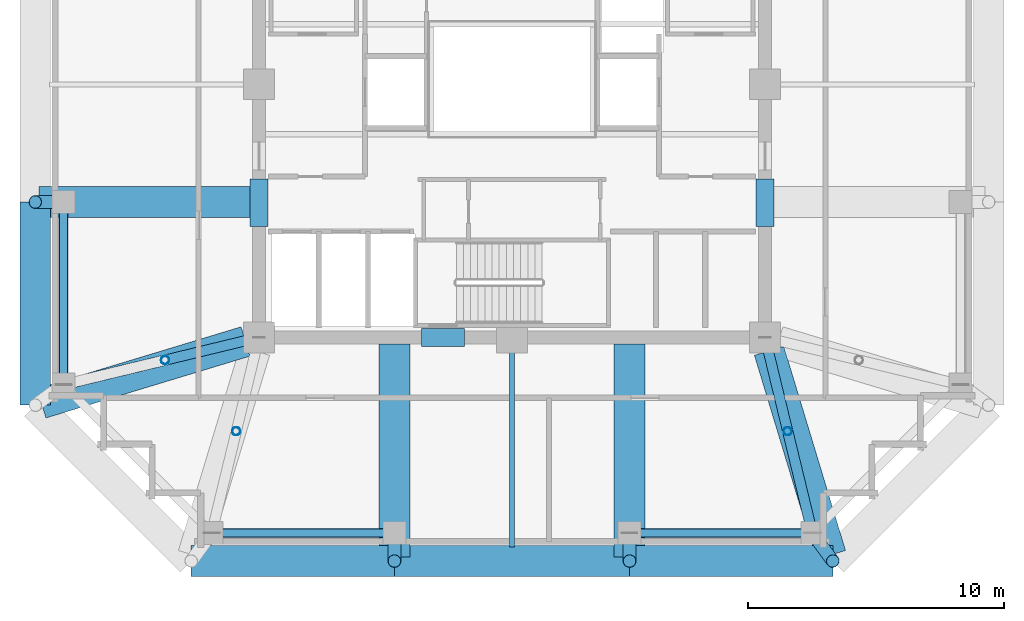
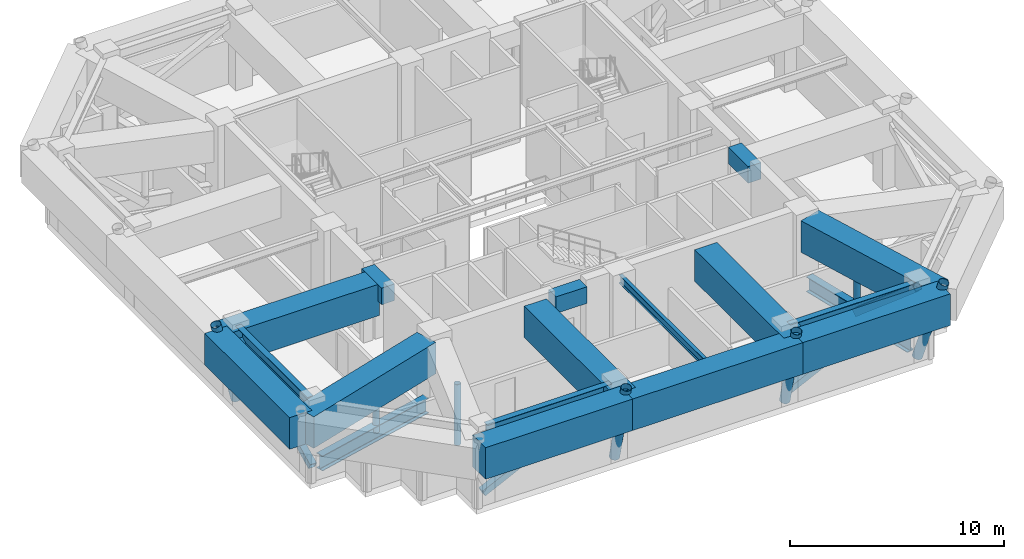
# One storey, part 2 of 12: 18 beams, 11 members.
"""IFC4 building model written with IfcOpenShell, lengths in metres."""

from ifc_helpers import new_model, si_unit, direction, frame, origin, origin_2d, place, context, subcontext, project, spatial, rectangle, hollow_rectangle, hollow_circle, i_section, extrude, material, material_profile, profile_set, type_object, element, save


model = new_model("IFC4")

# Units and contexts
model_context = context("Model", 3, precision=1e-05, world=origin(), true_north=direction((0.0, 1.0)))
body_context = subcontext(model_context, "Body", "Model", "MODEL_VIEW")
ifc_project = project(units=[si_unit("LENGTHUNIT", "METRE"), si_unit("AREAUNIT", "SQUARE_METRE"), si_unit("VOLUMEUNIT", "CUBIC_METRE"), si_unit("PLANEANGLEUNIT", "RADIAN"), si_unit("MASSUNIT", "GRAM", prefix="KILO")], contexts=[model_context])

# Site, building, storey
site_placement = place(None, origin())
site = spatial("IfcSite", under=ifc_project, at=site_placement, CompositionType="ELEMENT")
building_placement = place(site_placement, origin())
building = spatial("IfcBuilding", under=site, at=building_placement, Name="Kolvaren Belvedere", CompositionType="ELEMENT")
storey_placement = place(building_placement, frame((0.0, 0.0, 148.10009765625)))
storey = spatial("IfcBuildingStorey", under=building, at=storey_placement, Name="L43", CompositionType="ELEMENT", Elevation=148.10009765625)

# Beams
ifc_material_1 = material(Name="Structural steel ASTM A992 Grade 50", Category="steel")
ifc_material_profile_1 = material_profile(ifc_material_1, i_section(OverallWidth=0.39990234375, OverallDepth=0.85595703125, WebThickness=0.018310546875, FlangeThickness=0.029296875, FilletRadius=0.02490234375, at=origin_2d()), Name="W33X201")
ifc_profile_set_1 = profile_set([ifc_material_profile_1], Name="Structural steel ASTM A992 Grade 50")
beam_type_1 = type_object("IfcBeamType", Name="BM-GIRD-W33X201", PredefinedType="BEAM", material=ifc_profile_set_1)
for number, where, z_axis, x_axis, name in (
    (1, (-10.4345703125, -10.029296875, 0.47998046875), (-0.971980384182, -0.235061976433, 0.0), (0.235061976433, -0.971980384182, 0.0), "L43 Outrigger Truss Bottom Chord OB-2"),
    (2, (10.029296875, -10.4345703125, 0.47998046875), (0.235061976433, -0.971980384182, 0.0), (0.971980384182, 0.235061976433, 0.0), "L43 Outrigger Truss Bottom Chord OB-3"),
):
    element("IfcBeam", number, at=place(storey_placement, frame(where, z_axis=z_axis, x_axis=x_axis)), inside=storey, type_object=beam_type_1, Name=name, PredefinedType="BEAM", context=body_context, shape_type="SweptSolid", body=[
        extrude(i_section(OverallWidth=0.39990234375, OverallDepth=0.85595703125, WebThickness=0.018310546875, FlangeThickness=0.029296875, FilletRadius=0.02490234375, at=origin_2d()), origin(), (0.0, 0.0, 1.0), 6.87060546875),
    ])
ifc_material_2 = material(Name="Structural steel ASTM A992 Grade 50", Category="steel")
ifc_material_profile_2 = material_profile(ifc_material_2, i_section(OverallWidth=0.19091796875, OverallDepth=0.4599609375, WebThickness=0.010009765625, FlangeThickness=0.01611328125, FilletRadius=0.014892578125, at=origin_2d()), Name="W18X55")
ifc_profile_set_2 = profile_set([ifc_material_profile_2], Name="Structural steel ASTM A992 Grade 50")
beam_type_2 = type_object("IfcBeamType", Name="BM-JOIST-W18X55", PredefinedType="BEAM", material=ifc_profile_set_2)
beam_1_placement = place(storey_placement, frame((0.0, -10.14990234375, 4.06982421875), z_axis=(0.0, -1.0, 0.0), x_axis=(1.0, 0.0, 0.0)))
element("IfcBeam", 3, at=beam_1_placement, inside=storey, type_object=beam_type_2, Name="L43 South Centre Floor Beam", PredefinedType="BEAM", context=body_context, shape_type="SweptSolid", body=[
    extrude(i_section(OverallWidth=0.19091796875, OverallDepth=0.4599609375, WebThickness=0.010009765625, FlangeThickness=0.01611328125, FilletRadius=0.014892578125, at=origin_2d()), origin(), (0.0, 0.0, 1.0), 7.9501953125),
])
ifc_material_3 = material(Name="Concrete C60/75", Category="concrete")
ifc_material_profile_3 = material_profile(ifc_material_3, rectangle(XDim=0.699951171875, YDim=0.949951171875, at=origin_2d()), Name="RC 700X950")
ifc_profile_set_3 = profile_set([ifc_material_profile_3], Name="Concrete C60/75")
beam_type_3 = type_object("IfcBeamType", Name="BM-LINT-950", PredefinedType="LINTEL", material=ifc_profile_set_3)
beam_2_placement = place(storey_placement, frame((-3.5400390625, -9.89990234375, 3.824951171875), z_axis=(1.0, 0.0, 0.0), x_axis=(0.0, 1.0, 0.0)))
element("IfcBeam", 4, at=beam_2_placement, inside=storey, type_object=beam_type_3, Name="L43 South Core Coupling Lintel", PredefinedType="LINTEL", context=body_context, shape_type="SweptSolid", body=[
    extrude(rectangle(XDim=0.699951171875, YDim=0.949951171875, at=origin_2d()), origin(), (0.0, 0.0, 1.0), 1.679931640625),
])
for number, where, z_axis, x_axis, name in (
    (5, (-9.89990234375, -5.550048828125, 3.824951171875), (0.0, 1.0, 0.0), (-1.0, 0.0, 0.0), "L43 West Core Coupling Lintel"),
    (6, (9.89990234375, -5.550048828125, 3.824951171875), (0.0, 1.0, 0.0), (-1.0, 0.0, 0.0), "L43 East Core Coupling Lintel"),
):
    element("IfcBeam", number, at=place(storey_placement, frame(where, z_axis=z_axis, x_axis=x_axis)), inside=storey, type_object=beam_type_3, Name=name, PredefinedType="LINTEL", context=body_context, shape_type="SweptSolid", body=[
        extrude(rectangle(XDim=0.699951171875, YDim=0.949951171875, at=origin_2d()), origin(), (0.0, 0.0, 1.0), 1.85009765625),
    ])
ifc_material_4 = material(Name="Structural steel ASTM A992 Grade 50", Category="steel")
ifc_material_profile_4 = material_profile(ifc_material_4, i_section(OverallWidth=0.324951171875, OverallDepth=0.615966796875, WebThickness=0.013916015625, FlangeThickness=0.021484375, FilletRadius=0.02001953125, at=origin_2d()), Name="W24X117")
ifc_profile_set_4 = profile_set([ifc_material_profile_4], Name="Structural steel ASTM A992 Grade 50")
beam_type_4 = type_object("IfcBeamType", Name="BM-SPAN-W24X117", PredefinedType="SPANDREL", material=ifc_profile_set_4)
for number, where, z_axis, x_axis, name in (
    (7, (-11.547607421875, -17.550048828125, 3.991943359375), (1.0, 0.0, 0.0), (0.0, 1.0, 0.0), "L43 Perimeter Spandrel S1-S2"),
    (8, (4.802490234375, -17.550048828125, 3.991943359375), (1.0, 0.0, 0.0), (0.0, 1.0, 0.0), "L43 Perimeter Spandrel S3-S4"),
    (9, (-17.550048828125, -4.802490234375, 3.991943359375), (0.0, -1.0, 0.0), (1.0, 0.0, 0.0), "L43 Perimeter Spandrel W2-W1"),
):
    element("IfcBeam", number, at=place(storey_placement, frame(where, z_axis=z_axis, x_axis=x_axis)), inside=storey, type_object=beam_type_4, Name=name, PredefinedType="SPANDREL", context=body_context, shape_type="SweptSolid", body=[
        extrude(i_section(OverallWidth=0.324951171875, OverallDepth=0.615966796875, WebThickness=0.013916015625, FlangeThickness=0.021484375, FilletRadius=0.02001953125, at=origin_2d()), origin(), (0.0, 0.0, 1.0), 6.7451171875),
    ])
ifc_material_5 = material(Name="Concrete C50/60", Category="concrete")
ifc_material_profile_5 = material_profile(ifc_material_5, rectangle(XDim=1.199951171875, YDim=1.800048828125, at=origin_2d()), Name="RC 1200X1800")
ifc_profile_set_5 = profile_set([ifc_material_profile_5], Name="Concrete C50/60")
beam_type_5 = type_object("IfcBeamType", Name="BM-TG-1800", PredefinedType="BEAM", material=ifc_profile_set_5)
beam_3_placement = place(storey_placement, frame((-12.550048828125, -18.64990234375, 3.39990234375), z_axis=(1.0, 0.0, 0.0), x_axis=(0.0, 1.0, 0.0)))
element("IfcBeam", 10, at=beam_3_placement, inside=storey, type_object=beam_type_5, Name="L43 Step Transfer Ring Girder S1-S2", PredefinedType="BEAM", context=body_context, shape_type="SweptSolid", body=[
    extrude(rectangle(XDim=1.199951171875, YDim=1.800048828125, at=origin_2d()), origin(), (0.0, 0.0, 1.0), 7.949951171875),
])
beam_4_placement = place(storey_placement, frame((-4.60009765625, -18.64990234375, 3.39990234375), z_axis=(1.0, 0.0, 0.0), x_axis=(0.0, 1.0, 0.0)))
element("IfcBeam", 11, at=beam_4_placement, inside=storey, type_object=beam_type_5, Name="L43 Step Transfer Ring Girder S2-S3", PredefinedType="BEAM", context=body_context, shape_type="SweptSolid", body=[
    extrude(rectangle(XDim=1.199951171875, YDim=1.800048828125, at=origin_2d()), origin(), (0.0, 0.0, 1.0), 9.2001953125),
])
for number, where, z_axis, x_axis, name in (
    (12, (4.60009765625, -18.64990234375, 3.39990234375), (1.0, 0.0, 0.0), (0.0, 1.0, 0.0), "L43 Step Transfer Ring Girder S3-S4"),
    (13, (-18.64990234375, -4.60009765625, 3.39990234375), (0.0, -1.0, 0.0), (1.0, 0.0, 0.0), "L43 Step Transfer Ring Girder W2-W1"),
):
    element("IfcBeam", number, at=place(storey_placement, frame(where, z_axis=z_axis, x_axis=x_axis)), inside=storey, type_object=beam_type_5, Name=name, PredefinedType="BEAM", context=body_context, shape_type="SweptSolid", body=[
        extrude(rectangle(XDim=1.199951171875, YDim=1.800048828125, at=origin_2d()), origin(), (0.0, 0.0, 1.0), 7.949951171875),
    ])
for number, where, z_axis, x_axis, name in (
    (14, (4.60009765625, -10.14990234375, 3.39990234375), (0.0, -1.0, 0.0), (1.0, 0.0, 0.0), "L43 South Radial Girder P"),
    (15, (-4.60009765625, -10.14990234375, 3.39990234375), (0.0, -1.0, 0.0), (1.0, 0.0, 0.0), "L43 South Radial Girder M"),
    (16, (-10.14990234375, -4.60009765625, 3.39990234375), (-1.0, 0.0, 0.0), (0.0, -1.0, 0.0), "L43 West Radial Girder M"),
):
    element("IfcBeam", number, at=place(storey_placement, frame(where, z_axis=z_axis, x_axis=x_axis)), inside=storey, type_object=beam_type_5, Name=name, PredefinedType="BEAM", context=body_context, shape_type="SweptSolid", body=[
        extrude(rectangle(XDim=1.199951171875, YDim=1.800048828125, at=origin_2d()), origin(), (0.0, 0.0, 1.0), 8.35009765625),
    ])
for number, where, z_axis, x_axis, name in (
    (17, (-10.426513671875, -10.059326171875, 3.39990234375), (-0.957065007195, -0.289873372359, 0.0), (0.289873372359, -0.957065007195, 0.0), "L43 Corner Core-to-Perimeter Girder CC1-W1"),
    (18, (10.059326171875, -10.426513671875, 3.39990234375), (0.289873372359, -0.957065007195, 0.0), (0.957065007195, 0.289873372359, 0.0), "L43 Corner Core-to-Perimeter Girder CC2-S4"),
):
    element("IfcBeam", number, at=place(storey_placement, frame(where, z_axis=z_axis, x_axis=x_axis)), inside=storey, type_object=beam_type_5, Name=name, PredefinedType="BEAM", context=body_context, shape_type="SweptSolid", body=[
        extrude(rectangle(XDim=1.199951171875, YDim=1.800048828125, at=origin_2d()), origin(), (0.0, 0.0, 1.0), 8.34228515625),
    ])

# Members
ifc_material_6 = material(Name="Structural steel ASTM A500 Grade C", Category="steel")
ifc_material_profile_6 = material_profile(ifc_material_6, hollow_rectangle(XDim=0.35595703125, YDim=0.35595703125, WallThickness=0.01171875, at=origin_2d()), Name="HSS14X14X1/2")
ifc_profile_set_6 = profile_set([ifc_material_profile_6], Name="Structural steel ASTM A500 Grade C")
member_type_1 = type_object("IfcMemberType", Name="MB-BELT-BRACE", PredefinedType="BRACE", material=ifc_profile_set_6)
for number, where, z_axis, x_axis, name in (
    (19, (-11.75, -17.550048828125, 0.47998046875), (0.899648500227, 0.0, 0.436614905884), (0.0, 1.0, 0.0), "L43 Perimeter Belt Truss Brace BT-1"),
    (20, (4.60009765625, -17.550048828125, 0.47998046875), (0.899648500227, 0.0, 0.436614905884), (0.0, 1.0, 0.0), "L43 Perimeter Belt Truss Brace BT-2"),
    (21, (-17.550048828125, -11.75, 0.47998046875), (0.0, 0.899648500227, 0.436614905884), (-1.0, 0.0, 0.0), "L43 Perimeter Belt Truss Brace BT-5"),
):
    element("IfcMember", number, at=place(storey_placement, frame(where, z_axis=z_axis, x_axis=x_axis)), inside=storey, type_object=member_type_1, Name=name, PredefinedType="BRACE", context=body_context, shape_type="SweptSolid", body=[
        extrude(hollow_rectangle(XDim=0.35595703125, YDim=0.35595703125, WallThickness=0.01171875, at=origin_2d()), origin(), (0.0, 0.0, 1.0), 7.947509765625),
    ])
ifc_material_7 = material(Name="Structural steel ASTM A500 Grade C", Category="steel")
ifc_material_profile_7 = material_profile(ifc_material_7, hollow_circle(Radius=0.162109375, WallThickness=0.01171875, at=origin_2d()), Name="HSS12.750X0.500")
ifc_profile_set_7 = profile_set([ifc_material_profile_7], Name="Structural steel ASTM A500 Grade C")
member_type_2 = type_object("IfcMemberType", Name="MB-CAN-POST", PredefinedType="POST", material=ifc_profile_set_7)
for number, where, z_axis, x_axis, name in (
    (22, (-10.7880859375, -13.572021484375, 0.47998046875), (0.0, 0.0, 1.0), (1.0, 0.0, 0.0), "L43 Outrigger Portal Post OP-1"),
    (23, (-13.572021484375, -10.7880859375, 0.47998046875), (0.0, 0.0, 1.0), (1.0, 0.0, 0.0), "L43 Outrigger Portal Post OP-2"),
    (24, (10.7880859375, -13.572021484375, 0.47998046875), (0.0, 0.0, 1.0), (1.0, 0.0, 0.0), "L43 Outrigger Portal Post OP-3"),
):
    element("IfcMember", number, at=place(storey_placement, frame(where, z_axis=z_axis, x_axis=x_axis)), inside=storey, type_object=member_type_2, Name=name, PredefinedType="POST", context=body_context, shape_type="SweptSolid", body=[
        extrude(hollow_circle(Radius=0.162109375, WallThickness=0.01171875, at=origin_2d()), origin(), (0.0, 0.0, 1.0), 3.469970703125),
    ])
ifc_material_8 = material(Name="Structural steel ASTM A500 Grade C", Category="steel")
ifc_material_profile_8 = material_profile(ifc_material_8, hollow_rectangle(XDim=0.406005859375, YDim=0.406005859375, WallThickness=0.014892578125, at=origin_2d()), Name="HSS16X16X5/8")
ifc_profile_set_8 = profile_set([ifc_material_profile_8], Name="Structural steel ASTM A500 Grade C")
member_type_3 = type_object("IfcMemberType", Name="MB-OUTRIGGER", PredefinedType="BRACE", material=ifc_profile_set_8)
member_1_placement = place(storey_placement, frame((10.7880859375, -13.572021484375, 0.47998046875), z_axis=(0.179271121775, -0.741381639136, 0.646695546645), x_axis=(0.971987354602, 0.235033151904, 0.0)))
element("IfcMember", 25, at=member_1_placement, inside=storey, type_object=member_type_3, Name="L43 Outrigger Truss Diagonal OT-3A", PredefinedType="BRACE", context=body_context, shape_type="SweptSolid", body=[
    extrude(hollow_rectangle(XDim=0.406005859375, YDim=0.406005859375, WallThickness=0.014892578125, at=origin_2d()), origin(), (0.0, 0.0, 1.0), 5.36572265625),
])
ifc_material_9 = material(Name="Structural steel ASTM A500 Grade C", Category="steel")
ifc_material_profile_9 = material_profile(ifc_material_9, hollow_circle(Radius=0.25390625, WallThickness=0.01171875, at=origin_2d()), Name="HSS20.000X0.500")
ifc_profile_set_9 = profile_set([ifc_material_profile_9], Name="Structural steel ASTM A500 Grade C")
member_type_4 = type_object("IfcMemberType", Name="MB-WAIST-STRUT", PredefinedType="STRUT", material=ifc_profile_set_9)
for number, where, z_axis, x_axis, name in (
    (26, (-4.60009765625, -17.550048828125, 0.0), (0.0, -0.232550921911, 0.972584221915), (1.0, 0.0, 0.0), "L43 Inclined Waist Transition Strut S2"),
    (27, (4.60009765625, -17.550048828125, 0.0), (0.0, -0.232550921911, 0.972584221915), (1.0, 0.0, 0.0), "L43 Inclined Waist Transition Strut S3"),
):
    element("IfcMember", number, at=place(storey_placement, frame(where, z_axis=z_axis, x_axis=x_axis)), inside=storey, type_object=member_type_4, Name=name, PredefinedType="STRUT", context=body_context, shape_type="SweptSolid", body=[
        extrude(hollow_circle(Radius=0.25390625, WallThickness=0.01171875, at=origin_2d()), origin(), (0.0, 0.0, 1.0), 4.7294921875),
    ])
member_2_placement = place(storey_placement, frame((11.75, -17.550048828125, 0.0), z_axis=(0.166791227963, -0.229293403104, 0.958960490097), x_axis=(0.808681743416, 0.58824640914, 0.0)))
element("IfcMember", 28, at=member_2_placement, inside=storey, type_object=member_type_4, Name="L43 Inclined Waist Transition Strut S4", PredefinedType="STRUT", context=body_context, shape_type="SweptSolid", body=[
    extrude(hollow_circle(Radius=0.25390625, WallThickness=0.01171875, at=origin_2d()), origin(), (0.0, 0.0, 1.0), 4.796630859375),
])
member_3_placement = place(storey_placement, frame((-17.550048828125, -4.60009765625, 0.0), z_axis=(-0.232550921911, 0.0, 0.972584221915), x_axis=(0.0, -1.0, 0.0)))
element("IfcMember", 29, at=member_3_placement, inside=storey, type_object=member_type_4, Name="L43 Inclined Waist Transition Strut W2", PredefinedType="STRUT", context=body_context, shape_type="SweptSolid", body=[
    extrude(hollow_circle(Radius=0.25390625, WallThickness=0.01171875, at=origin_2d()), origin(), (0.0, 0.0, 1.0), 4.7294921875),
])

save(model, "model.ifc")
